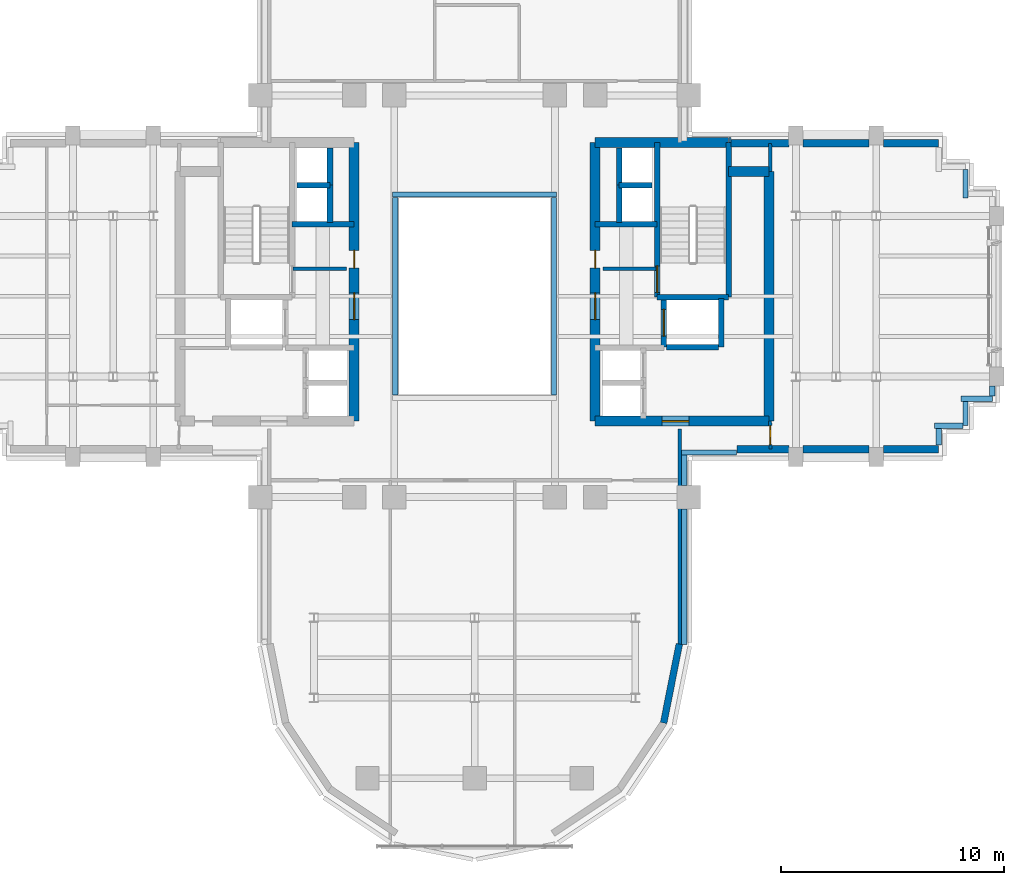
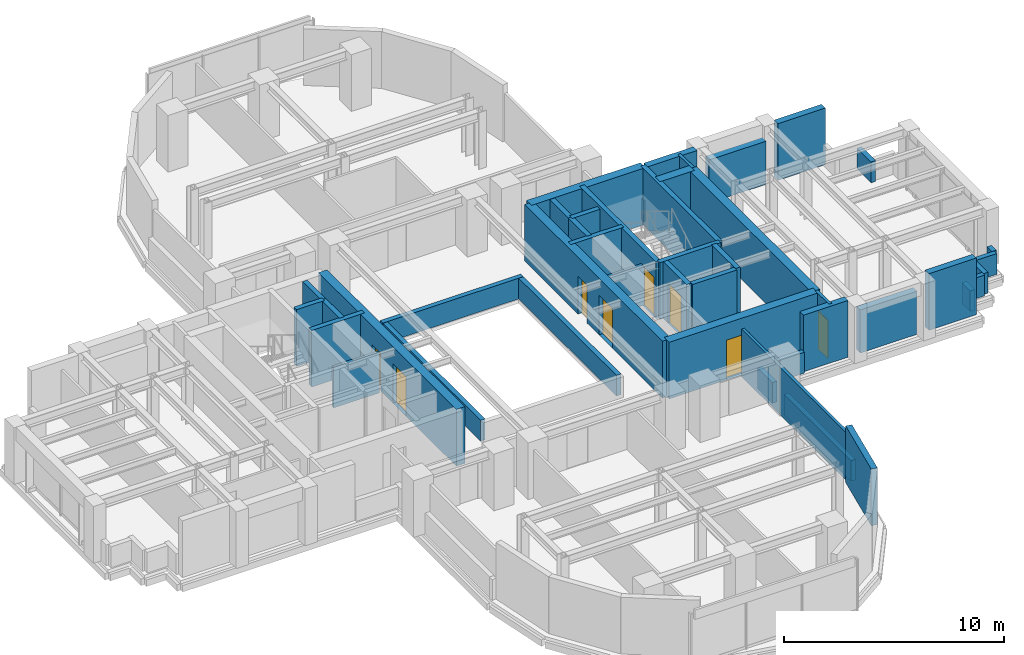
# One storey, part 9 of 13: 45 walls, 8 doors, 8 openings.
"""IFC4 building model written with IfcOpenShell, lengths in metres."""

from ifc_helpers import new_model, si_unit, direction, frame, frame_2d, origin, place, context, subcontext, project, spatial, rectangle, extrude, source, transform, mapped, material, layer, layer_set, type_object, element, fill, save


model = new_model("IFC4")

# Units and contexts
model_context = context("Model", 3, precision=1e-05, world=origin(), true_north=direction((0.0, 1.0)))
body_context = subcontext(model_context, "Body", "Model", "MODEL_VIEW")
ifc_project = project(units=[si_unit("LENGTHUNIT", "METRE"), si_unit("AREAUNIT", "SQUARE_METRE"), si_unit("VOLUMEUNIT", "CUBIC_METRE"), si_unit("PLANEANGLEUNIT", "RADIAN"), si_unit("MASSUNIT", "GRAM", prefix="KILO")], contexts=[model_context])

# Site, building, storey
site_placement = place(None, origin())
site = spatial("IfcSite", under=ifc_project, at=site_placement, CompositionType="ELEMENT")
building_placement = place(site_placement, origin())
building = spatial("IfcBuilding", under=site, at=building_placement, Name="Keilestroom Media Tower", CompositionType="ELEMENT")
storey_placement = place(building_placement, frame((0.0, 0.0, 148.199951171875)))
storey = spatial("IfcBuildingStorey", under=building, at=storey_placement, Name="L40", CompositionType="ELEMENT", Elevation=148.199951171875)

# Walls
ifc_material_1 = material(Name="Precast concrete C40/50", Category="concrete")
ifc_layer_1 = layer(ifc_material_1, 0.300048828125)
ifc_layer_set_1 = layer_set([ifc_layer_1], Name="Precast concrete C40/50")
wall_type_1 = type_object("IfcWallType", Name="Exterior-Masonry-Spandrel-Wall-300", PredefinedType="SOLIDWALL", material=ifc_layer_set_1)
wall_1_placement = place(storey_placement, frame((8.470703125, -19.12451171875, 0.0), z_axis=(0.0, 0.0, 1.0), x_axis=(0.195114232679, 0.980780523974, 0.0)))
element("IfcWall", 1, at=wall_1_placement, inside=storey, type_object=wall_type_1, Name="L40 Lobe Facet Precast Frame Wall 12", PredefinedType="SOLIDWALL", context=body_context, shape_type="SweptSolid", body=[
    extrude(rectangle(XDim=3.608642578125, YDim=0.300048828125, at=frame_2d((1.80419921875, 0.0))), origin(), (0.0, 0.0, 1.0), 3.14013671875),
])
ifc_layer_2 = layer(ifc_material_1, 0.340087890625)
ifc_layer_set_2 = layer_set([ifc_layer_2], Name="Precast concrete C40/50")
wall_type_2 = type_object("IfcWallType", Name="Exterior-Masonry-Spandrel-Wall-340", PredefinedType="SOLIDWALL", material=ifc_layer_set_2)
wall_2_placement = place(storey_placement, frame((11.498046875, 6.85009765625, 0.0), z_axis=(0.0, 0.0, 1.0), x_axis=(1.0, 0.0, 0.0)))
element("IfcWall", 2, at=wall_2_placement, inside=storey, type_object=wall_type_2, Name="L40 Flank Masonry Wall EWL-L40-NE-1", PredefinedType="SOLIDWALL", context=body_context, shape_type="SweptSolid", body=[
    extrude(rectangle(XDim=2.5849609375, YDim=0.340087890625, at=frame_2d((1.29248046875, 0.0))), origin(), (0.0, 0.0, 1.0), 3.14013671875),
])
wall_3_placement = place(storey_placement, frame((14.717041015625, 6.85009765625, 0.0), z_axis=(0.0, 0.0, 1.0), x_axis=(1.0, 0.0, 0.0)))
element("IfcWall", 3, at=wall_3_placement, inside=storey, type_object=wall_type_2, Name="L40 Flank Masonry Wall EWL-L40-NE-2", PredefinedType="SOLIDWALL", context=body_context, shape_type="SweptSolid", body=[
    extrude(rectangle(XDim=2.966064453125, YDim=0.340087890625, at=frame_2d((1.48291015625, 0.0))), origin(), (0.0, 0.0, 1.0), 2.39013671875),
])
wall_4_placement = place(storey_placement, frame((18.31689453125, 6.85009765625, 0.0), z_axis=(0.0, 0.0, 1.0), x_axis=(1.0, 0.0, 0.0)))
element("IfcWall", 4, at=wall_4_placement, inside=storey, type_object=wall_type_2, Name="L40 Flank Masonry Wall EWL-L40-NE-3", PredefinedType="SOLIDWALL", context=body_context, shape_type="SweptSolid", body=[
    extrude(rectangle(XDim=2.483154296875, YDim=0.340087890625, at=frame_2d((1.24169921875, 0.0))), origin(), (0.0, 0.0, 1.0), 3.14013671875),
])
wall_5_placement = place(storey_placement, frame((11.75, -6.85009765625, 0.0), z_axis=(0.0, 0.0, 1.0), x_axis=(1.0, 0.0, 0.0)))
element("IfcWall", 5, at=wall_5_placement, inside=storey, type_object=wall_type_2, Name="L40 Flank Masonry Wall EWL-L40-SE-1", PredefinedType="SOLIDWALL", context=body_context, shape_type="SweptSolid", body=[
    extrude(rectangle(XDim=2.3330078125, YDim=0.340087890625, at=frame_2d((1.16650390625, 0.0))), origin(), (0.0, 0.0, 1.0), 3.14013671875),
])
wall_6_placement = place(storey_placement, frame((14.717041015625, -6.85009765625, 0.0), z_axis=(0.0, 0.0, 1.0), x_axis=(1.0, 0.0, 0.0)))
element("IfcWall", 6, at=wall_6_placement, inside=storey, type_object=wall_type_2, Name="L40 Flank Masonry Wall EWL-L40-SE-2", PredefinedType="SOLIDWALL", context=body_context, shape_type="SweptSolid", body=[
    extrude(rectangle(XDim=2.966064453125, YDim=0.340087890625, at=frame_2d((1.48291015625, 0.0))), origin(), (0.0, 0.0, 1.0), 2.39013671875),
])
wall_7_placement = place(storey_placement, frame((18.31689453125, -6.85009765625, 0.0), z_axis=(0.0, 0.0, 1.0), x_axis=(1.0, 0.0, 0.0)))
element("IfcWall", 7, at=wall_7_placement, inside=storey, type_object=wall_type_2, Name="L40 Flank Masonry Wall EWL-L40-SE-3", PredefinedType="SOLIDWALL", context=body_context, shape_type="SweptSolid", body=[
    extrude(rectangle(XDim=2.483154296875, YDim=0.340087890625, at=frame_2d((1.24169921875, 0.0))), origin(), (0.0, 0.0, 1.0), 3.14013671875),
])
ifc_material_2 = material(Name="Gypsum Plasterboard & Steel Stud", Category="steel")
ifc_layer_3 = layer(ifc_material_2, 0.14990234375)
ifc_layer_set_3 = layer_set([ifc_layer_3], Name="Gypsum Plasterboard & Steel Stud")
wall_type_3 = type_object("IfcWallType", Name="Interior-Partition-Wall-150", PredefinedType="PARTITIONING", material=ifc_layer_set_3)
for number, where, z_axis, x_axis, name in (
    (8, (-8.139892578125, 1.239990234375, 0.0), (0.0, 0.0, 1.0), (1.0, 0.0, 0.0), "L40 Interior Wall WP-L40-FFW-TOP"),
    (9, (5.75, 1.239990234375, 0.0), (0.0, 0.0, 1.0), (1.0, 0.0, 0.0), "L40 Interior Wall WP-L40-FFE-TOP"),
):
    element("IfcWall", number, at=place(storey_placement, frame(where, z_axis=z_axis, x_axis=x_axis)), inside=storey, type_object=wall_type_3, Name=name, PredefinedType="PARTITIONING", context=body_context, shape_type="SweptSolid", body=[
        extrude(rectangle(XDim=2.389892578125, YDim=0.14990234375, at=frame_2d((1.19482421875, 0.0))), origin(), (0.0, 0.0, 1.0), 2.239990234375),
    ])
wall_8_placement = place(storey_placement, frame((9.199951171875, -15.679931640625, 0.0), z_axis=(0.0, 0.0, 1.0), x_axis=(0.0, 1.0, 0.0)))
element("IfcWall", 10, at=wall_8_placement, inside=storey, type_object=wall_type_3, Name="L40 Interior Wall WP-L40-SL-CHKE", PredefinedType="PARTITIONING", context=body_context, shape_type="SweptSolid", body=[
    extrude(rectangle(XDim=9.739990234375, YDim=0.14990234375, at=frame_2d((4.8701171875, 0.0))), origin(), (0.0, 0.0, 1.0), 2.64013671875),
])
wall_9_placement = place(storey_placement, frame((13.260009765625, 5.60009765625, 0.0), z_axis=(0.0, 0.0, 1.0), x_axis=(-0.016013571389, 0.999871774545, 0.0)))
element("IfcWall", 11, at=wall_9_placement, inside=storey, type_object=wall_type_3, Name="L40 Interior Wall WP-L40-EA-ENTN", PredefinedType="PARTITIONING", context=body_context, shape_type="SweptSolid", body=[
    extrude(rectangle(XDim=1.250244140625, YDim=0.14990234375, at=frame_2d((0.625, 0.0))), origin(), (0.0, 0.0, 1.0), 3.14013671875),
])

# Wall, opening, door
wall_10_placement = place(storey_placement, frame((13.260009765625, -6.85009765625, 0.0), z_axis=(0.0, 0.0, 1.0), x_axis=(-0.016013571389, 0.999871774545, 0.0)))
wall_10 = element("IfcWall", 12, at=wall_10_placement, inside=storey, type_object=wall_type_3, Name="L40 Interior Wall WP-L40-EA-ENTS", PredefinedType="PARTITIONING", context=body_context, shape_type="SweptSolid", body=[
    extrude(rectangle(XDim=1.250244140625, YDim=0.14990234375, at=frame_2d((0.625, 0.0))), origin(), (0.0, 0.0, 1.0), 3.14013671875),
])
opening_1_placement = place(wall_10_placement, frame((0.199951171875, 0.0, 0.0)))
opening_1 = element("IfcOpeningElement", 13, at=opening_1_placement, cuts=wall_10, Name="Opening DI-05", PredefinedType="OPENING", context=body_context, shape_type="SweptSolid", body=[
    extrude(rectangle(XDim=0.85009765625, YDim=2.10009765625, at=frame_2d((0.425048828125, 1.050048828125))), frame((0.0, 0.0849609375, 0.0), z_axis=(0.0, -1.0, 0.0), x_axis=(1.0, 0.0, 0.0)), (0.0, 0.0, 1.0), 0.169921875),
])
ifc_material_3 = material(Name="Moisture-Resistant Oak Leaf", Category="wood")
door_type_1 = type_object("IfcDoorType", Name="Interior-En-Suite-And-Cupboard-Door-DI-05", OperationType="NOTDEFINED", PredefinedType="DOOR", material=ifc_material_3)
shared_shape_1 = source(origin(), body_context, "Body", "SweptSolid", [
    extrude(rectangle(XDim=0.85009765625, YDim=2.10009765625, at=frame_2d((0.425048828125, 1.050048828125))), frame((0.0, 0.02490234375, 0.0), z_axis=(0.0, -1.0, 0.0), x_axis=(1.0, 0.0, 0.0)), (0.0, 0.0, 1.0), 0.050048828125),
])
door_1_placement = place(opening_1_placement, origin())
door_1 = element("IfcDoor", 14, at=door_1_placement, inside=storey, type_object=door_type_1, Name="L40 Interior Door DI-L40-DEA-S", OperationType="SINGLE_SWING_LEFT", OverallHeight=2.10009765625, OverallWidth=0.85009765625, PredefinedType="DOOR", context=body_context, shape_type="MappedRepresentation", body=[
    mapped(shared_shape_1, transform((0.0, 0.0, 0.0), x_axis=(1.0, 0.0, 0.0), y_axis=(0.0, 1.0, 0.0), z_axis=(0.0, 0.0, 1.0), scale=1.0)),
])
fill(opening_1, door_1)

# Wall, openings, doors
ifc_material_4 = material(Name="Concrete C55/67", Category="concrete")
ifc_layer_4 = layer(ifc_material_4, 0.449951171875)
ifc_layer_set_4 = layer_set([ifc_layer_4], Name="Concrete C55/67")
wall_type_4 = type_object("IfcWallType", Name="Reinforced-Concrete-Core-Shear-Wall-450", PredefinedType="SHEAR", material=ifc_layer_set_4)
wall_11_placement = place(storey_placement, frame((-5.39990234375, -5.60009765625, 0.0), z_axis=(0.0, 0.0, 1.0), x_axis=(0.0, 1.0, 0.0)))
wall_11 = element("IfcWall", 15, at=wall_11_placement, inside=storey, type_object=wall_type_4, Name="L40 Core Shear Wall WL-L40-CORE-W-IN", PredefinedType="SHEAR", context=body_context, shape_type="SweptSolid", body=[
    extrude(rectangle(XDim=12.5, YDim=0.449951171875, at=frame_2d((6.25, 0.0))), origin(), (0.0, 0.0, 1.0), 3.14013671875),
])
opening_2_placement = place(wall_11_placement, frame((4.550048828125, 0.0, 0.0)))
opening_2 = element("IfcOpeningElement", 16, at=opening_2_placement, cuts=wall_11, Name="Opening DI-02", PredefinedType="OPENING", context=body_context, shape_type="SweptSolid", body=[
    extrude(rectangle(XDim=1.199951171875, YDim=2.199951171875, at=frame_2d((0.60009765625, 1.10009765625))), frame((0.0, 0.23486328125, 0.0), z_axis=(0.0, -1.0, 0.0), x_axis=(1.0, 0.0, 0.0)), (0.0, 0.0, 1.0), 0.469970703125),
])
opening_3_placement = place(wall_11_placement, frame((6.860107421875, 0.0, 0.0)))
opening_3 = element("IfcOpeningElement", 17, at=opening_3_placement, cuts=wall_11, Name="Opening DI-06", PredefinedType="OPENING", context=body_context, shape_type="SweptSolid", body=[
    extrude(rectangle(XDim=0.800048828125, YDim=2.10009765625, at=frame_2d((0.39990234375, 1.050048828125))), frame((0.0, 0.23486328125, 0.0), z_axis=(0.0, -1.0, 0.0), x_axis=(1.0, 0.0, 0.0)), (0.0, 0.0, 1.0), 0.469970703125),
])
ifc_material_5 = material(Name="Powder-Coated Steel Fire Leaf", Category="steel")
door_type_2 = type_object("IfcDoorType", Name="Interior-Compartment-Fire-Door-DI-02", OperationType="NOTDEFINED", PredefinedType="DOOR", material=ifc_material_5)
shared_shape_2 = source(origin(), body_context, "Body", "SweptSolid", [
    extrude(rectangle(XDim=1.199951171875, YDim=2.199951171875, at=frame_2d((0.60009765625, 1.10009765625))), frame((0.0, 0.02490234375, 0.0), z_axis=(0.0, -1.0, 0.0), x_axis=(1.0, 0.0, 0.0)), (0.0, 0.0, 1.0), 0.050048828125),
])
door_2_placement = place(opening_2_placement, origin())
door_2 = element("IfcDoor", 18, at=door_2_placement, inside=storey, type_object=door_type_2, Name="L40 W Firefighting Lobby Door", OperationType="SINGLE_SWING_RIGHT", OverallHeight=2.199951171875, OverallWidth=1.199951171875, PredefinedType="DOOR", context=body_context, shape_type="MappedRepresentation", body=[
    mapped(shared_shape_2, transform((0.0, 0.0, 0.0), x_axis=(1.0, 0.0, 0.0), y_axis=(0.0, 1.0, 0.0), z_axis=(0.0, 0.0, 1.0), scale=1.0)),
])
fill(opening_2, door_2)
ifc_material_6 = material(Name="Powder-Coated Steel Service Leaf", Category="steel")
door_type_3 = type_object("IfcDoorType", Name="Interior-Riser-Access-Door-DI-06", OperationType="NOTDEFINED", PredefinedType="DOOR", material=ifc_material_6)
shared_shape_3 = source(origin(), body_context, "Body", "SweptSolid", [
    extrude(rectangle(XDim=0.800048828125, YDim=2.10009765625, at=frame_2d((0.39990234375, 1.050048828125))), frame((0.0, 0.02490234375, 0.0), z_axis=(0.0, -1.0, 0.0), x_axis=(1.0, 0.0, 0.0)), (0.0, 0.0, 1.0), 0.050048828125),
])
door_3_placement = place(opening_3_placement, origin())
door_3 = element("IfcDoor", 19, at=door_3_placement, inside=storey, type_object=door_type_3, Name="L40 West Core Switchroom Door", OperationType="SINGLE_SWING_LEFT", OverallHeight=2.10009765625, OverallWidth=0.800048828125, PredefinedType="DOOR", context=body_context, shape_type="MappedRepresentation", body=[
    mapped(shared_shape_3, transform((0.0, 0.0, 0.0), x_axis=(1.0, 0.0, 0.0), y_axis=(0.0, 1.0, 0.0), z_axis=(0.0, 0.0, 1.0), scale=1.0)),
])
fill(opening_3, door_3)

# Wall
wall_12_placement = place(storey_placement, frame((13.199951171875, -5.60009765625, 0.0), z_axis=(0.0, 0.0, 1.0), x_axis=(0.0, 1.0, 0.0)))
element("IfcWall", 20, at=wall_12_placement, inside=storey, type_object=wall_type_4, Name="L40 Core Shear Wall WL-L40-CORE-E-OUT", PredefinedType="SHEAR", context=body_context, shape_type="SweptSolid", body=[
    extrude(rectangle(XDim=11.2001953125, YDim=0.449951171875, at=frame_2d((5.60009765625, 0.0))), origin(), (0.0, 0.0, 1.0), 3.14013671875),
])

# Wall, openings, doors
wall_13_placement = place(storey_placement, frame((5.39990234375, -5.60009765625, 0.0), z_axis=(0.0, 0.0, 1.0), x_axis=(0.0, 1.0, 0.0)))
wall_13 = element("IfcWall", 21, at=wall_13_placement, inside=storey, type_object=wall_type_4, Name="L40 Core Shear Wall WL-L40-CORE-E-IN", PredefinedType="SHEAR", context=body_context, shape_type="SweptSolid", body=[
    extrude(rectangle(XDim=12.5, YDim=0.449951171875, at=frame_2d((6.25, 0.0))), origin(), (0.0, 0.0, 1.0), 3.14013671875),
])
opening_4_placement = place(wall_13_placement, frame((4.550048828125, 0.0, 0.0)))
opening_4 = element("IfcOpeningElement", 22, at=opening_4_placement, cuts=wall_13, Name="Opening DI-02", PredefinedType="OPENING", context=body_context, shape_type="SweptSolid", body=[
    extrude(rectangle(XDim=1.199951171875, YDim=2.199951171875, at=frame_2d((0.60009765625, 1.10009765625))), frame((0.0, 0.23486328125, 0.0), z_axis=(0.0, -1.0, 0.0), x_axis=(1.0, 0.0, 0.0)), (0.0, 0.0, 1.0), 0.469970703125),
])
opening_5_placement = place(wall_13_placement, frame((6.860107421875, 0.0, 0.0)))
opening_5 = element("IfcOpeningElement", 23, at=opening_5_placement, cuts=wall_13, Name="Opening DI-06", PredefinedType="OPENING", context=body_context, shape_type="SweptSolid", body=[
    extrude(rectangle(XDim=0.800048828125, YDim=2.10009765625, at=frame_2d((0.39990234375, 1.050048828125))), frame((0.0, 0.23486328125, 0.0), z_axis=(0.0, -1.0, 0.0), x_axis=(1.0, 0.0, 0.0)), (0.0, 0.0, 1.0), 0.469970703125),
])
door_4_placement = place(opening_4_placement, origin())
door_4 = element("IfcDoor", 24, at=door_4_placement, inside=storey, type_object=door_type_2, Name="L40 E Firefighting Lobby Door", OperationType="SINGLE_SWING_LEFT", OverallHeight=2.199951171875, OverallWidth=1.199951171875, PredefinedType="DOOR", context=body_context, shape_type="MappedRepresentation", body=[
    mapped(shared_shape_2, transform((0.0, 0.0, 0.0), x_axis=(1.0, 0.0, 0.0), y_axis=(0.0, 1.0, 0.0), z_axis=(0.0, 0.0, 1.0), scale=1.0)),
])
fill(opening_4, door_4)
door_5_placement = place(opening_5_placement, origin())
door_5 = element("IfcDoor", 25, at=door_5_placement, inside=storey, type_object=door_type_3, Name="L40 East Core Telecom Door", OperationType="SINGLE_SWING_RIGHT", OverallHeight=2.10009765625, OverallWidth=0.800048828125, PredefinedType="DOOR", context=body_context, shape_type="MappedRepresentation", body=[
    mapped(shared_shape_3, transform((0.0, 0.0, 0.0), x_axis=(1.0, 0.0, 0.0), y_axis=(0.0, 1.0, 0.0), z_axis=(0.0, 0.0, 1.0), scale=1.0)),
])
fill(opening_5, door_5)

# Walls
wall_14_placement = place(storey_placement, frame((5.39990234375, 6.89990234375, 0.0), z_axis=(0.0, 0.0, 1.0), x_axis=(1.0, 0.0, 0.0)))
element("IfcWall", 26, at=wall_14_placement, inside=storey, type_object=wall_type_4, Name="L40 Core Shear Wall WL-L40-CORE-E-N", PredefinedType="SHEAR", context=body_context, shape_type="SweptSolid", body=[
    extrude(rectangle(XDim=5.981201171875, YDim=0.449951171875, at=frame_2d((2.99072265625, 0.0))), origin(), (0.0, 0.0, 1.0), 3.14013671875),
])
wall_15_placement = place(storey_placement, frame((11.381103515625, 5.60009765625, 0.0), z_axis=(0.0, 0.0, 1.0), x_axis=(1.0, 0.0, 0.0)))
element("IfcWall", 27, at=wall_15_placement, inside=storey, type_object=wall_type_4, Name="L40 Core Shear Wall WL-L40-CNE-N", PredefinedType="SHEAR", context=body_context, shape_type="SweptSolid", body=[
    extrude(rectangle(XDim=1.81884765625, YDim=0.449951171875, at=frame_2d((0.909423828125, 0.0))), origin(), (0.0, 0.0, 1.0), 3.14013671875),
])

# Wall, opening, door
wall_16_placement = place(storey_placement, frame((5.39990234375, -5.60009765625, 0.0), z_axis=(0.0, 0.0, 1.0), x_axis=(1.0, 0.0, 0.0)))
wall_16 = element("IfcWall", 28, at=wall_16_placement, inside=storey, type_object=wall_type_4, Name="L40 Core Shear Wall WL-L40-CORE-E-S", PredefinedType="SHEAR", context=body_context, shape_type="SweptSolid", body=[
    extrude(rectangle(XDim=7.800048828125, YDim=0.449951171875, at=frame_2d((3.89990234375, 0.0))), origin(), (0.0, 0.0, 1.0), 3.14013671875),
])
opening_6_placement = place(wall_16_placement, frame((3.0, 0.0, 0.0)))
opening_6 = element("IfcOpeningElement", 29, at=opening_6_placement, cuts=wall_16, Name="Opening DI-02", PredefinedType="OPENING", context=body_context, shape_type="SweptSolid", body=[
    extrude(rectangle(XDim=1.199951171875, YDim=2.199951171875, at=frame_2d((0.60009765625, 1.10009765625))), frame((0.0, 0.23486328125, 0.0), z_axis=(0.0, -1.0, 0.0), x_axis=(1.0, 0.0, 0.0)), (0.0, 0.0, 1.0), 0.469970703125),
])
door_6_placement = place(opening_6_placement, origin())
door_6 = element("IfcDoor", 30, at=door_6_placement, inside=storey, type_object=door_type_2, Name="L40 E Passenger Lift Lobby Door", OperationType="SINGLE_SWING_RIGHT", OverallHeight=2.199951171875, OverallWidth=1.199951171875, PredefinedType="DOOR", context=body_context, shape_type="MappedRepresentation", body=[
    mapped(shared_shape_2, transform((0.0, 0.0, 0.0), x_axis=(1.0, 0.0, 0.0), y_axis=(0.0, 1.0, 0.0), z_axis=(0.0, 0.0, 1.0), scale=1.0)),
])
fill(opening_6, door_6)

# Walls
ifc_material_7 = material(Name="Concrete C50/60", Category="concrete")
ifc_layer_5 = layer(ifc_material_7, 0.25)
ifc_layer_set_5 = layer_set([ifc_layer_5], Name="Concrete C50/60")
wall_type_5 = type_object("IfcWallType", Name="Reinforced-Concrete-Shaft-Wall-250", PredefinedType="SOLIDWALL", material=ifc_layer_set_5)
for number, where, z_axis, x_axis, name in (
    (31, (-8.179931640625, 3.219970703125, 0.0), (0.0, 0.0, 1.0), (1.0, 0.0, 0.0), "L40 Core Shear Wall WL-L40-CORE-W-FFN"),
    (32, (5.39990234375, 3.219970703125, 0.0), (0.0, 0.0, 1.0), (1.0, 0.0, 0.0), "L40 Core Shear Wall WL-L40-CORE-E-FFN"),
):
    element("IfcWall", number, at=place(storey_placement, frame(where, z_axis=z_axis, x_axis=x_axis)), inside=storey, type_object=wall_type_5, Name=name, PredefinedType="SOLIDWALL", context=body_context, shape_type="SweptSolid", body=[
        extrude(rectangle(XDim=2.780029296875, YDim=0.25, at=frame_2d((1.39013671875, 0.0))), origin(), (0.0, 0.0, 1.0), 3.14013671875),
    ])

# Wall, opening, door
wall_17_placement = place(storey_placement, frame((8.178955078125, -0.041015625, 0.0), z_axis=(0.0, 0.0, 1.0), x_axis=(0.0, 1.0, 0.0)))
wall_17 = element("IfcWall", 33, at=wall_17_placement, inside=storey, type_object=wall_type_5, Name="L40 Core Shear Wall WL-L40-STW-E-NEAR", PredefinedType="SOLIDWALL", context=body_context, shape_type="SweptSolid", body=[
    extrude(rectangle(XDim=6.94091796875, YDim=0.25, at=frame_2d((3.470458984375, 0.0))), origin(), (0.0, 0.0, 1.0), 3.14013671875),
])
opening_7_placement = place(wall_17_placement, frame((0.199951171875, 0.0, 0.0)))
opening_7 = element("IfcOpeningElement", 34, at=opening_7_placement, cuts=wall_17, Name="Opening DI-01S", PredefinedType="OPENING", context=body_context, shape_type="SweptSolid", body=[
    extrude(rectangle(XDim=1.199951171875, YDim=2.199951171875, at=frame_2d((0.60009765625, 1.10009765625))), frame((0.0, 0.135009765625, 0.0), z_axis=(0.0, -1.0, 0.0), x_axis=(1.0, 0.0, 0.0)), (0.0, 0.0, 1.0), 0.27001953125),
])
door_type_4 = type_object("IfcDoorType", Name="Interior-Stair-And-Core-Fire-Door-DI-01", OperationType="NOTDEFINED", PredefinedType="DOOR", material=ifc_material_5)
door_7_placement = place(opening_7_placement, origin())
door_7 = element("IfcDoor", 35, at=door_7_placement, inside=storey, type_object=door_type_4, Name="L40 Escape Stair ST-2 Fire Door", OperationType="SINGLE_SWING_RIGHT", OverallHeight=2.199951171875, OverallWidth=1.199951171875, PredefinedType="DOOR", context=body_context, shape_type="MappedRepresentation", body=[
    mapped(shared_shape_2, transform((0.0, 0.0, 0.0), x_axis=(1.0, 0.0, 0.0), y_axis=(0.0, 1.0, 0.0), z_axis=(0.0, 0.0, 1.0), scale=1.0)),
])
fill(opening_7, door_7)

# Walls
wall_18_placement = place(storey_placement, frame((11.381103515625, -0.041015625, 0.0), z_axis=(0.0, 0.0, 1.0), x_axis=(0.0, 1.0, 0.0)))
element("IfcWall", 36, at=wall_18_placement, inside=storey, type_object=wall_type_5, Name="L40 Core Shear Wall WL-L40-STW-E-FAR", PredefinedType="SOLIDWALL", context=body_context, shape_type="SweptSolid", body=[
    extrude(rectangle(XDim=6.94091796875, YDim=0.25, at=frame_2d((3.470458984375, 0.0))), origin(), (0.0, 0.0, 1.0), 3.14013671875),
])
wall_19_placement = place(storey_placement, frame((8.178955078125, -0.041015625, 0.0), z_axis=(0.0, 0.0, 1.0), x_axis=(1.0, 0.0, 0.0)))
element("IfcWall", 37, at=wall_19_placement, inside=storey, type_object=wall_type_5, Name="L40 Core Shear Wall WL-L40-STW-E-S", PredefinedType="SOLIDWALL", context=body_context, shape_type="SweptSolid", body=[
    extrude(rectangle(XDim=3.2021484375, YDim=0.25, at=frame_2d((1.60107421875, 0.0))), origin(), (0.0, 0.0, 1.0), 3.14013671875),
])

# Wall, opening, door
wall_20_placement = place(storey_placement, frame((8.47998046875, -2.280029296875, 0.0), z_axis=(0.0, 0.0, 1.0), x_axis=(0.0, 1.0, 0.0)))
wall_20 = element("IfcWall", 38, at=wall_20_placement, inside=storey, type_object=wall_type_5, Name="L40 Core Shear Wall WL-L40-LSH-FFL-2-W", PredefinedType="SOLIDWALL", context=body_context, shape_type="SweptSolid", body=[
    extrude(rectangle(XDim=2.179931640625, YDim=0.25, at=frame_2d((1.08984375, 0.0))), origin(), (0.0, 0.0, 1.0), 3.14013671875),
])
opening_8_placement = place(wall_20_placement, frame((0.489990234375, 0.0, 0.0)))
opening_8 = element("IfcOpeningElement", 39, at=opening_8_placement, cuts=wall_20, Name="Opening LD-02", PredefinedType="OPENING", context=body_context, shape_type="SweptSolid", body=[
    extrude(rectangle(XDim=1.199951171875, YDim=2.199951171875, at=frame_2d((0.60009765625, 1.10009765625))), frame((0.0, 0.135009765625, 0.0), z_axis=(0.0, -1.0, 0.0), x_axis=(1.0, 0.0, 0.0)), (0.0, 0.0, 1.0), 0.27001953125),
])
ifc_material_8 = material(Name="Brushed Stainless Steel Sliding Leaf", Category="steel")
door_type_5 = type_object("IfcDoorType", Name="Lift-Landing-Sliding-Door-LD-02", OperationType="SLIDING_TO_RIGHT", PredefinedType="DOOR", material=ifc_material_8)
door_8_placement = place(opening_8_placement, origin())
door_8 = element("IfcDoor", 40, at=door_8_placement, inside=storey, type_object=door_type_5, Name="L40 Lift FFL-2 Landing Sliding Door", OperationType="SLIDING_TO_RIGHT", OverallHeight=2.199951171875, OverallWidth=1.199951171875, PredefinedType="DOOR", context=body_context, shape_type="MappedRepresentation", body=[
    mapped(shared_shape_2, transform((0.0, 0.0, 0.0), x_axis=(1.0, 0.0, 0.0), y_axis=(0.0, 1.0, 0.0), z_axis=(0.0, 0.0, 1.0), scale=1.0)),
])
fill(opening_8, door_8)

# Walls
wall_21_placement = place(storey_placement, frame((11.050048828125, -2.280029296875, 0.0), z_axis=(0.0, 0.0, 1.0), x_axis=(0.0, 1.0, 0.0)))
element("IfcWall", 41, at=wall_21_placement, inside=storey, type_object=wall_type_5, Name="L40 Core Shear Wall WL-L40-LSH-FFL-2-E", PredefinedType="SOLIDWALL", context=body_context, shape_type="SweptSolid", body=[
    extrude(rectangle(XDim=2.179931640625, YDim=0.25, at=frame_2d((1.08984375, 0.0))), origin(), (0.0, 0.0, 1.0), 3.14013671875),
])
wall_22_placement = place(storey_placement, frame((8.60888671875, -2.280029296875, 0.0), z_axis=(0.0, 0.0, 1.0), x_axis=(1.0, 0.0, 0.0)))
element("IfcWall", 42, at=wall_22_placement, inside=storey, type_object=wall_type_5, Name="L40 Core Shear Wall WL-L40-LSH-FFL-2-S", PredefinedType="SOLIDWALL", context=body_context, shape_type="SweptSolid", body=[
    extrude(rectangle(XDim=2.31201171875, YDim=0.25, at=frame_2d((1.156005859375, 0.0))), origin(), (0.0, 0.0, 1.0), 3.14013671875),
])
wall_23_placement = place(storey_placement, frame((-6.47998046875, 3.300048828125, 0.0), z_axis=(0.0, 0.0, 1.0), x_axis=(0.0, 1.0, 0.0)))
element("IfcWall", 43, at=wall_23_placement, inside=storey, type_object=wall_type_5, Name="L40 Core Shear Wall WL-L40-LSH-PL-H1-E", PredefinedType="SOLIDWALL", context=body_context, shape_type="SweptSolid", body=[
    extrude(rectangle(XDim=1.679931640625, YDim=0.25, at=frame_2d((0.83984375, 0.0))), origin(), (0.0, 0.0, 1.0), 3.14013671875),
])
wall_24_placement = place(storey_placement, frame((-7.949951171875, 4.97998046875, 0.0), z_axis=(0.0, 0.0, 1.0), x_axis=(1.0, 0.0, 0.0)))
element("IfcWall", 44, at=wall_24_placement, inside=storey, type_object=wall_type_5, Name="L40 Core Shear Wall WL-L40-LSH-PL-H1-N", PredefinedType="SOLIDWALL", context=body_context, shape_type="SweptSolid", body=[
    extrude(rectangle(XDim=1.469970703125, YDim=0.25, at=frame_2d((0.73486328125, 0.0))), origin(), (0.0, 0.0, 1.0), 3.14013671875),
])
wall_25_placement = place(storey_placement, frame((-6.47998046875, 4.97998046875, 0.0), z_axis=(0.0, 0.0, 1.0), x_axis=(0.0, 1.0, 0.0)))
element("IfcWall", 45, at=wall_25_placement, inside=storey, type_object=wall_type_5, Name="L40 Core Shear Wall WL-L40-LSH-PL-H2-E", PredefinedType="SOLIDWALL", context=body_context, shape_type="SweptSolid", body=[
    extrude(rectangle(XDim=1.669921875, YDim=0.25, at=frame_2d((0.8349609375, 0.0))), origin(), (0.0, 0.0, 1.0), 3.14013671875),
])
wall_26_placement = place(storey_placement, frame((6.47998046875, 3.300048828125, 0.0), z_axis=(0.0, 0.0, 1.0), x_axis=(0.0, 1.0, 0.0)))
element("IfcWall", 46, at=wall_26_placement, inside=storey, type_object=wall_type_5, Name="L40 Core Shear Wall WL-L40-LSH-PL-H3-W", PredefinedType="SOLIDWALL", context=body_context, shape_type="SweptSolid", body=[
    extrude(rectangle(XDim=1.679931640625, YDim=0.25, at=frame_2d((0.83984375, 0.0))), origin(), (0.0, 0.0, 1.0), 3.14013671875),
])
wall_27_placement = place(storey_placement, frame((6.47998046875, 4.97998046875, 0.0), z_axis=(0.0, 0.0, 1.0), x_axis=(1.0, 0.0, 0.0)))
element("IfcWall", 47, at=wall_27_placement, inside=storey, type_object=wall_type_5, Name="L40 Core Shear Wall WL-L40-LSH-PL-H3-N", PredefinedType="SOLIDWALL", context=body_context, shape_type="SweptSolid", body=[
    extrude(rectangle(XDim=1.469970703125, YDim=0.25, at=frame_2d((0.73486328125, 0.0))), origin(), (0.0, 0.0, 1.0), 3.14013671875),
])
wall_28_placement = place(storey_placement, frame((6.47998046875, 4.97998046875, 0.0), z_axis=(0.0, 0.0, 1.0), x_axis=(0.0, 1.0, 0.0)))
element("IfcWall", 48, at=wall_28_placement, inside=storey, type_object=wall_type_5, Name="L40 Core Shear Wall WL-L40-LSH-PL-H4-W", PredefinedType="SOLIDWALL", context=body_context, shape_type="SweptSolid", body=[
    extrude(rectangle(XDim=1.669921875, YDim=0.25, at=frame_2d((0.8349609375, 0.0))), origin(), (0.0, 0.0, 1.0), 3.14013671875),
])
ifc_layer_6 = layer(ifc_material_1, 0.239990234375)
ifc_layer_set_6 = layer_set([ifc_layer_6], Name="Precast concrete C40/50")
wall_type_6 = type_object("IfcWallType", Name="Roof-And-Terrace-Parapet-Wall-240", PredefinedType="PARAPET", material=ifc_layer_set_6)
wall_29_placement = place(storey_placement, frame((23.199951171875, -4.60009765625, 0.0), z_axis=(0.0, 0.0, 1.0), x_axis=(-1.0, 0.0, 0.0)))
element("IfcWall", 49, at=wall_29_placement, inside=storey, type_object=wall_type_6, Name="L40 Perimeter Edge Parapet Wall 01", PredefinedType="PARAPET", context=body_context, shape_type="SweptSolid", body=[
    extrude(rectangle(XDim=1.39990234375, YDim=0.239990234375, at=frame_2d((0.699951171875, 0.0))), origin(), (0.0, 0.0, 1.0), 1.150146484375),
])
wall_30_placement = place(storey_placement, frame((22.0, -4.722900390625, 0.0), z_axis=(0.0, 0.0, 1.0), x_axis=(0.0, -1.0, 0.0)))
element("IfcWall", 50, at=wall_30_placement, inside=storey, type_object=wall_type_6, Name="L40 Perimeter Edge Parapet Wall 02", PredefinedType="PARAPET", context=body_context, shape_type="SweptSolid", body=[
    extrude(rectangle(XDim=1.0771484375, YDim=0.239990234375, at=frame_2d((0.53857421875, 0.0))), origin(), (0.0, 0.0, 1.0), 1.150146484375),
])
wall_31_placement = place(storey_placement, frame((21.876953125, -5.800048828125, 0.0), z_axis=(0.0, 0.0, 1.0), x_axis=(-1.0, 0.0, 0.0)))
element("IfcWall", 51, at=wall_31_placement, inside=storey, type_object=wall_type_6, Name="L40 Perimeter Edge Parapet Wall 03", PredefinedType="PARAPET", context=body_context, shape_type="SweptSolid", body=[
    extrude(rectangle(XDim=1.27685546875, YDim=0.239990234375, at=frame_2d((0.638427734375, 0.0))), origin(), (0.0, 0.0, 1.0), 1.150146484375),
])
wall_32_placement = place(storey_placement, frame((20.800048828125, -5.923095703125, 0.0), z_axis=(0.0, 0.0, 1.0), x_axis=(0.0, -1.0, 0.0)))
element("IfcWall", 52, at=wall_32_placement, inside=storey, type_object=wall_type_6, Name="L40 Perimeter Edge Parapet Wall 04", PredefinedType="PARAPET", context=body_context, shape_type="SweptSolid", body=[
    extrude(rectangle(XDim=0.75390625, YDim=0.239990234375, at=frame_2d((0.376953125, 0.0))), origin(), (0.0, 0.0, 1.0), 1.150146484375),
])
wall_33_placement = place(storey_placement, frame((11.7470703125, -7.0, 0.0), z_axis=(0.0, 0.0, 1.0), x_axis=(-1.0, 0.0, 0.0)))
element("IfcWall", 53, at=wall_33_placement, inside=storey, type_object=wall_type_6, Name="L40 Perimeter Edge Parapet Wall 05", PredefinedType="PARAPET", context=body_context, shape_type="SweptSolid", body=[
    extrude(rectangle(XDim=2.468994140625, YDim=0.239990234375, at=frame_2d((1.234375, 0.0))), origin(), (0.0, 0.0, 1.0), 1.150146484375),
])
wall_34_placement = place(storey_placement, frame((9.39990234375, -7.123046875, 0.0), z_axis=(0.0, 0.0, 1.0), x_axis=(0.0, -1.0, 0.0)))
element("IfcWall", 54, at=wall_34_placement, inside=storey, type_object=wall_type_6, Name="L40 Perimeter Edge Parapet Wall 06", PredefinedType="PARAPET", context=body_context, shape_type="SweptSolid", body=[
    extrude(rectangle(XDim=1.348876953125, YDim=0.239990234375, at=frame_2d((0.67431640625, 0.0))), origin(), (0.0, 0.0, 1.0), 1.150146484375),
])
wall_35_placement = place(storey_placement, frame((9.39990234375, -9.528076171875, 0.0), z_axis=(0.0, 0.0, 1.0), x_axis=(0.0, -1.0, 0.0)))
element("IfcWall", 55, at=wall_35_placement, inside=storey, type_object=wall_type_6, Name="L40 Perimeter Edge Parapet Wall 07", PredefinedType="PARAPET", context=body_context, shape_type="SweptSolid", body=[
    extrude(rectangle(XDim=6.07470703125, YDim=0.239990234375, at=frame_2d((3.037353515625, 0.0))), origin(), (0.0, 0.0, 1.0), 1.150146484375),
])
wall_36_placement = place(storey_placement, frame((11.403076171875, 7.0, 0.0), z_axis=(0.0, 0.0, 1.0), x_axis=(1.0, 0.0, 0.0)))
element("IfcWall", 56, at=wall_36_placement, inside=storey, type_object=wall_type_6, Name="L40 Perimeter Edge Parapet Wall 28", PredefinedType="PARAPET", context=body_context, shape_type="SweptSolid", body=[
    extrude(rectangle(XDim=0.092041015625, YDim=0.239990234375, at=frame_2d((0.0458984375, 0.0))), origin(), (0.0, 0.0, 1.0), 1.150146484375),
])
wall_37_placement = place(storey_placement, frame((22.0, 5.677001953125, 0.0), z_axis=(0.0, 0.0, 1.0), x_axis=(0.0, -1.0, 0.0)))
element("IfcWall", 57, at=wall_37_placement, inside=storey, type_object=wall_type_6, Name="L40 Perimeter Edge Parapet Wall 31", PredefinedType="PARAPET", context=body_context, shape_type="SweptSolid", body=[
    extrude(rectangle(XDim=1.277099609375, YDim=0.239990234375, at=frame_2d((0.638671875, 0.0))), origin(), (0.0, 0.0, 1.0), 1.150146484375),
])
wall_38_placement = place(storey_placement, frame((23.199951171875, -4.028076171875, 0.0), z_axis=(0.0, 0.0, 1.0), x_axis=(0.0, -1.0, 0.0)))
element("IfcWall", 58, at=wall_38_placement, inside=storey, type_object=wall_type_6, Name="L40 Perimeter Edge Parapet Wall 34", PredefinedType="PARAPET", context=body_context, shape_type="SweptSolid", body=[
    extrude(rectangle(XDim=0.448974609375, YDim=0.239990234375, at=frame_2d((0.224609375, 0.0))), origin(), (0.0, 0.0, 1.0), 1.150146484375),
])
wall_39_placement = place(storey_placement, frame((-3.679931640625, 4.56005859375, 0.0), z_axis=(0.0, 0.0, 1.0), x_axis=(1.0, 0.0, 0.0)))
element("IfcWall", 59, at=wall_39_placement, inside=storey, type_object=wall_type_6, Name="L40 Central Atrium Guard Parapet N", PredefinedType="PARAPET", context=body_context, shape_type="SweptSolid", body=[
    extrude(rectangle(XDim=7.35986328125, YDim=0.239990234375, at=frame_2d((3.679931640625, 0.0))), origin(), (0.0, 0.0, 1.0), 1.150146484375),
])
for number, where, z_axis, x_axis, name in (
    (60, (-3.56005859375, -4.43505859375, 0.0), (0.0, 0.0, 1.0), (0.0, 1.0, 0.0), "L40 Central Atrium Guard Parapet W"),
    (61, (3.56005859375, -4.43505859375, 0.0), (0.0, 0.0, 1.0), (0.0, 1.0, 0.0), "L40 Central Atrium Guard Parapet E"),
):
    element("IfcWall", number, at=place(storey_placement, frame(where, z_axis=z_axis, x_axis=x_axis)), inside=storey, type_object=wall_type_6, Name=name, PredefinedType="PARAPET", context=body_context, shape_type="SweptSolid", body=[
        extrude(rectangle(XDim=8.8701171875, YDim=0.239990234375, at=frame_2d((4.43505859375, 0.0))), origin(), (0.0, 0.0, 1.0), 1.150146484375),
    ])

save(model, "model.ifc")
